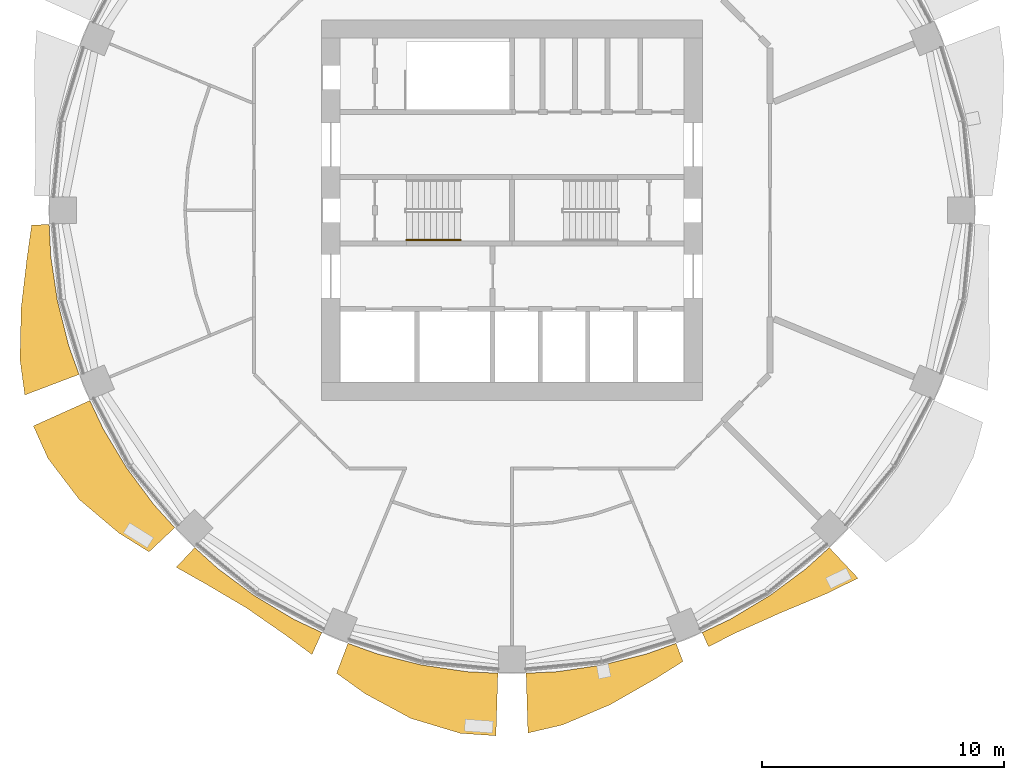
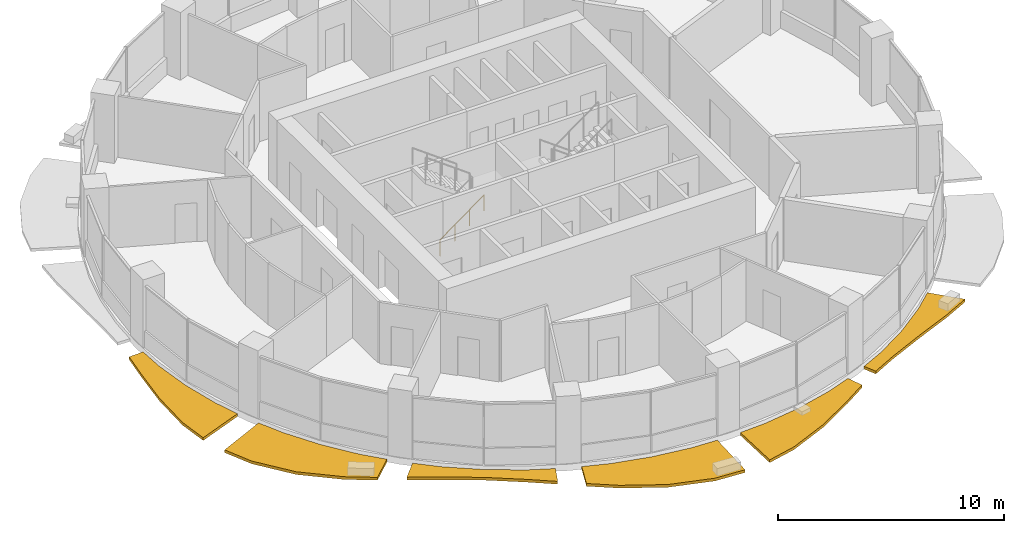
# One storey, part 11 of 14: 6 shading devices, 1 railing.
"""IFC4 building model written with IfcOpenShell, lengths in metres."""

from ifc_helpers import new_model, si_unit, direction, frame, origin, origin_2d, place, context, subcontext, project, spatial, polyline, circle, outline, extrude, material, type_object, element, save


model = new_model("IFC4")

# Units and contexts
model_context = context("Model", 3, precision=1e-05, world=origin(), true_north=direction((0.0, 1.0)))
body_context = subcontext(model_context, "Body", "Model", "MODEL_VIEW")
ifc_project = project(units=[si_unit("LENGTHUNIT", "METRE"), si_unit("AREAUNIT", "SQUARE_METRE"), si_unit("VOLUMEUNIT", "CUBIC_METRE"), si_unit("PLANEANGLEUNIT", "RADIAN"), si_unit("MASSUNIT", "GRAM", prefix="KILO")], contexts=[model_context])

# Site, building, storey
site_placement = place(None, origin())
site = spatial("IfcSite", under=ifc_project, at=site_placement, CompositionType="ELEMENT")
building_placement = place(site_placement, origin())
building = spatial("IfcBuilding", under=site, at=building_placement, Name="Polderwave Tower", CompositionType="ELEMENT")
storey_placement = place(building_placement, frame((0.0, 0.0, 112.89990234375)))
storey = spatial("IfcBuildingStorey", under=building, at=storey_placement, Name="L29", CompositionType="ELEMENT", Elevation=112.89990234375)

# Railing
ifc_material_1 = material(Name="Stainless steel", Category="steel")
railing_type = type_object("IfcRailingType", Name="Stair handrail 900", PredefinedType="HANDRAIL", material=ifc_material_1)
railing_placement = place(storey_placement, frame((-4.3740234375, -1.22509765625, 0.1826171875)))
element("IfcRailing", 1, at=railing_placement, inside=storey, type_object=railing_type, Name="L29 ST-A stair handrail 1", PredefinedType="HANDRAIL", context=body_context, shape_type="SweptSolid", body=[
    extrude(circle(Radius=0.02392578125, at=origin_2d()), frame((0.0, 0.0, 0.8759765625), z_axis=(0.807673635365, 0.0, 0.58962979804), x_axis=(0.0, 1.0, 0.0)), (0.0, 0.0, 1.0), 2.785888671875),
    extrude(circle(Radius=0.02099609375, at=origin_2d()), origin(), (0.0, 0.0, 1.0), 0.851806640625),
    extrude(circle(Radius=0.02099609375, at=origin_2d()), frame((0.75, 0.0, 0.547607421875)), (0.0, 0.0, 1.0), 0.851806640625),
    extrude(circle(Radius=0.02099609375, at=origin_2d()), frame((1.5, 0.0, 1.094970703125)), (0.0, 0.0, 1.0), 0.851806640625),
    extrude(circle(Radius=0.02099609375, at=origin_2d()), frame((2.25, 0.0, 1.642578125)), (0.0, 0.0, 1.0), 0.851806640625),
])

# Shading devices
ifc_material_2 = material(Name="Terracotta", Category="masonry")
shading_device_type = type_object("IfcShadingDeviceType", Name="Terracotta sunshade band", PredefinedType="USERDEFINED", material=ifc_material_2)
shading_device_1_placement = place(storey_placement, frame((0.0, 0.0, -0.349853515625)))
element("IfcShadingDevice", 2, at=shading_device_1_placement, inside=storey, type_object=shading_device_type, Name="Sunshade band L29 9", ObjectType="SUNSHADE", PredefinedType="USERDEFINED", context=body_context, shape_type="SweptSolid", body=[
    extrude(outline(polyline([(-19.1513671875, -0.584228515625), (-19.087646484375, -1.8798828125), (-18.8115234375, -3.74169921875), (-18.35400390625, -5.567626953125), (-17.9169921875, -6.789306640625), (-20.159423828125, -7.638916015625), (-20.35888671875, -6.17578125), (-20.31103515625, -4.0400390625), (-20.069580078125, -1.976806640625), (-19.87548828125, -0.606201171875), (-19.1513671875, -0.584228515625)])), origin(), (0.0, 0.0, 1.0), 0.14990234375),
])
shading_device_2_placement = place(storey_placement, frame((0.0, 0.0, -0.349853515625)))
element("IfcShadingDevice", 3, at=shading_device_2_placement, inside=storey, type_object=shading_device_type, Name="Sunshade band L29 10", ObjectType="SUNSHADE", PredefinedType="USERDEFINED", context=body_context, shape_type="SweptSolid", body=[
    extrude(outline(polyline([(-17.469970703125, -7.86865234375), (-16.915283203125, -9.04150390625), (-15.947509765625, -10.65576171875), (-14.826416015625, -12.167724609375), (-13.955078125, -13.12890625), (-15.019775390625, -14.130615234375), (-16.267333984375, -13.350341796875), (-17.906005859375, -11.964599609375), (-19.201416015625, -10.26318359375), (-19.8046875, -8.92041015625), (-17.469970703125, -7.86865234375)])), origin(), (0.0, 0.0, 1.0), 0.14990234375),
])
shading_device_3_placement = place(storey_placement, frame((0.0, 0.0, -0.349853515625)))
element("IfcShadingDevice", 4, at=shading_device_3_placement, inside=storey, type_object=shading_device_type, Name="Sunshade band L29 11", ObjectType="SUNSHADE", PredefinedType="USERDEFINED", context=body_context, shape_type="SweptSolid", body=[
    extrude(outline(polyline([(-13.12890625, -13.955078125), (-12.167724609375, -14.826416015625), (-10.65576171875, -15.947509765625), (-9.04150390625, -16.915283203125), (-7.86865234375, -17.469970703125), (-8.2783203125, -18.37939453125), (-9.385986328125, -17.56005859375), (-10.990478515625, -16.448486328125), (-12.681640625, -15.452392578125), (-13.89404296875, -14.768310546875), (-13.12890625, -13.955078125)])), origin(), (0.0, 0.0, 1.0), 0.14990234375),
])
shading_device_4_placement = place(storey_placement, frame((0.0, 0.0, -0.349853515625)))
element("IfcShadingDevice", 5, at=shading_device_4_placement, inside=storey, type_object=shading_device_type, Name="Sunshade band L29 12", ObjectType="SUNSHADE", PredefinedType="USERDEFINED", context=body_context, shape_type="SweptSolid", body=[
    extrude(outline(polyline([(-6.789306640625, -17.9169921875), (-5.567626953125, -18.35400390625), (-3.74169921875, -18.8115234375), (-1.8798828125, -19.087646484375), (-0.584228515625, -19.1513671875), (-0.6630859375, -21.740478515625), (-2.13134765625, -21.6396484375), (-4.181884765625, -21.023193359375), (-6.068359375, -20.0048828125), (-7.2578125, -19.154052734375), (-6.789306640625, -17.9169921875)])), origin(), (0.0, 0.0, 1.0), 0.14990234375),
])
shading_device_5_placement = place(storey_placement, frame((0.0, 0.0, -0.349853515625)))
element("IfcShadingDevice", 6, at=shading_device_5_placement, inside=storey, type_object=shading_device_type, Name="Sunshade band L29 13", ObjectType="SUNSHADE", PredefinedType="USERDEFINED", context=body_context, shape_type="SweptSolid", body=[
    extrude(outline(polyline([(0.584228515625, -19.1513671875), (1.8798828125, -19.087646484375), (3.74169921875, -18.8115234375), (5.567626953125, -18.35400390625), (6.789306640625, -17.9169921875), (7.0732421875, -18.6669921875), (5.888427734375, -19.411376953125), (4.06787109375, -20.450439453125), (2.096923828125, -21.290283203125), (0.65966796875, -21.62548828125), (0.584228515625, -19.1513671875)])), origin(), (0.0, 0.0, 1.0), 0.14990234375),
])
shading_device_6_placement = place(storey_placement, frame((0.0, 0.0, -0.349853515625)))
element("IfcShadingDevice", 7, at=shading_device_6_placement, inside=storey, type_object=shading_device_type, Name="Sunshade band L29 14", ObjectType="SUNSHADE", PredefinedType="USERDEFINED", context=body_context, shape_type="SweptSolid", body=[
    extrude(outline(polyline([(7.86865234375, -17.469970703125), (9.04150390625, -16.915283203125), (10.65576171875, -15.947509765625), (12.167724609375, -14.826416015625), (13.12890625, -13.955078125), (14.320068359375, -15.22119140625), (13.01513671875, -15.85888671875), (11.125, -16.649658203125), (9.327880859375, -17.451416015625), (8.131103515625, -18.052734375), (7.86865234375, -17.469970703125)])), origin(), (0.0, 0.0, 1.0), 0.14990234375),
])

save(model, "model.ifc")
